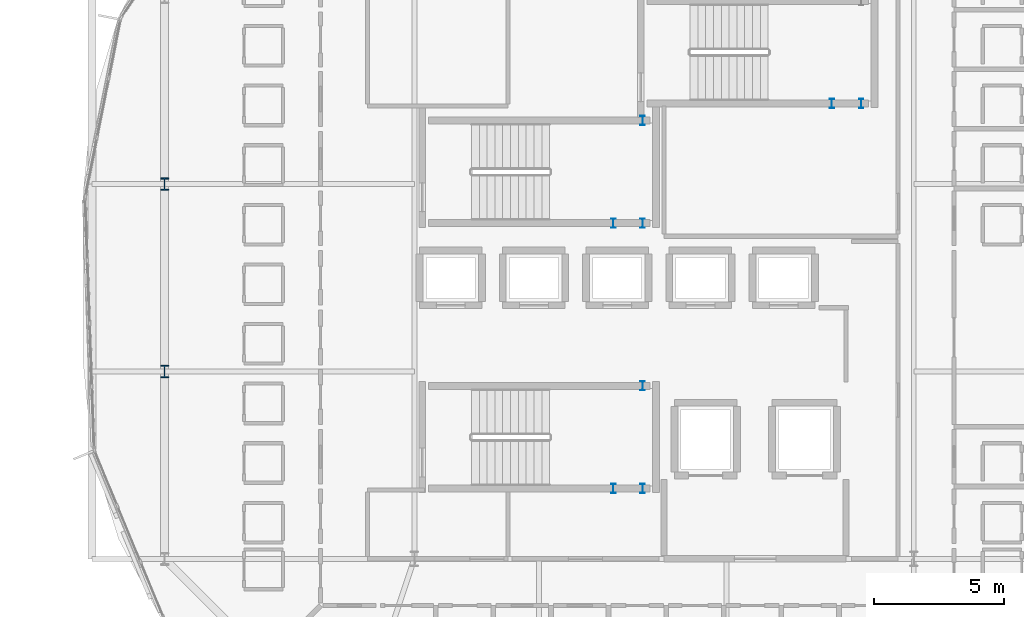
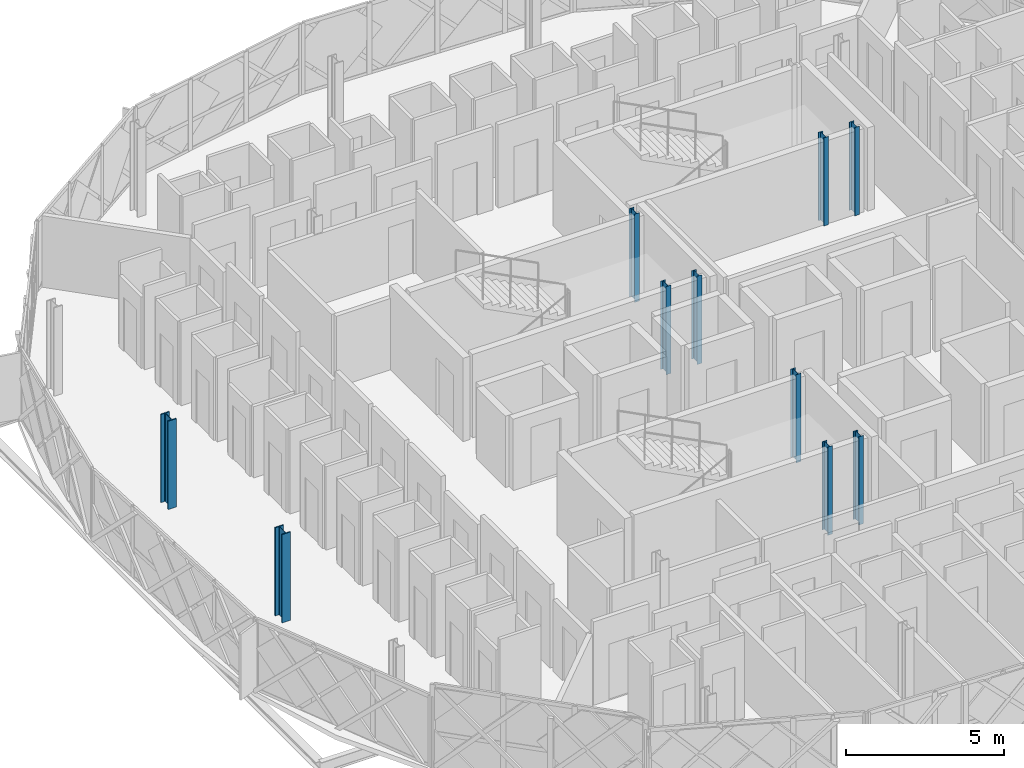
# One storey, part 2 of 40: 10 columns.
"""IFC4 building model written with IfcOpenShell, lengths in metres."""

import ifcopenshell
import ifcopenshell.guid

model = None  # the IFC model being written
_history = None  # IfcOwnerHistory: only IFC2X3 demands one
_inside = {}  # id of a spatial element -> (the spatial element, [elements in it])
_under = {}  # id of a project, library or spatial element -> (it, [spatial elements below it])
_declared = {}  # id of a project -> (the project, [libraries it declares])
_typed = {}  # id of a type object -> (the type object, [elements of that type])
_made_of = {}  # id of a material, layer set ... -> (it, [elements and type objects made of it])


def new_model(schema):
    """Start an empty IFC model of exactly this schema.

    Asked for "IFC4X3", IfcOpenShell would pick the latest addendum, in which some entities
    have other attributes; the version numbers below select the first issue.
    IFC2X3 requires an IfcOwnerHistory on every rooted entity: one is made here for all.
    """
    global model, _history
    if schema == "IFC4X3":
        model = ifcopenshell.file(schema_version=(4, 3, 0, 0))
    else:
        model = ifcopenshell.file(schema=schema)
    _inside.clear()
    _under.clear()
    _declared.clear()
    _typed.clear()
    _made_of.clear()
    _history = None
    if model.schema == "IFC2X3":
        org = make("IfcOrganization", Name="unknown")
        user = make(
            "IfcPersonAndOrganization",
            ThePerson=make("IfcPerson", FamilyName="unknown"),
            TheOrganization=org,
        )
        app = make(
            "IfcApplication",
            ApplicationDeveloper=org,
            Version="unknown",
            ApplicationFullName="unknown",
            ApplicationIdentifier="unknown",
        )
        _history = make(
            "IfcOwnerHistory",
            OwningUser=user,
            OwningApplication=app,
            ChangeAction="ADDED",
            CreationDate=0,
        )
    return model


def make(cls, **values):
    """One entity of the class cls with the attributes given. An attribute that is None is left unset."""
    return model.create_entity(
        cls, **{name: value for name, value in values.items() if value is not None}
    )


def rooted(cls, **values):
    """An entity with a GlobalId (a new one), such as an element, a storey or a relation."""
    return make(cls, GlobalId=ifcopenshell.guid.new(), OwnerHistory=_history, **values)


def si_unit(unit_type, name, prefix=None):
    """IfcSIUnit, for example si_unit("LENGTHUNIT", "METRE", prefix="MILLI")."""
    return make("IfcSIUnit", UnitType=unit_type, Prefix=prefix, Name=name)


def assignment(units):
    """IfcUnitAssignment: the units of a project."""
    return None if units is None else make("IfcUnitAssignment", Units=units)


def point(xyz):
    """IfcCartesianPoint."""
    return None if xyz is None else make("IfcCartesianPoint", Coordinates=xyz)


def direction(xyz):
    """IfcDirection."""
    return None if xyz is None else make("IfcDirection", DirectionRatios=xyz)


def frame(location, z_axis=None, x_axis=None):
    """IfcAxis2Placement3D, a coordinate frame: its origin and axes. An axis left out is left unset."""
    return make(
        "IfcAxis2Placement3D",
        Location=point(location),
        Axis=direction(z_axis),
        RefDirection=direction(x_axis),
    )


def frame_2d(location, x_axis=None):
    """IfcAxis2Placement2D, a coordinate frame in the plane: its origin and x axis."""
    return make(
        "IfcAxis2Placement2D", Location=point(location), RefDirection=direction(x_axis)
    )


def origin():
    """The frame at (0, 0, 0) with its axes left unset."""
    return frame((0.0, 0.0, 0.0))


def origin_2d():
    """The frame at (0, 0) in the plane with its x axis left unset."""
    return frame_2d((0.0, 0.0))


def place(relative_to, where):
    """IfcLocalPlacement: puts the frame where relative to a parent placement (None: the world)."""
    return make(
        "IfcLocalPlacement", PlacementRelTo=relative_to, RelativePlacement=where
    )


def context(
    kind, dimensions, precision=None, world=None, true_north=None, identifier=None
):
    """IfcGeometricRepresentationContext, for example the 3D "Model" context."""
    return make(
        "IfcGeometricRepresentationContext",
        ContextIdentifier=identifier,
        ContextType=kind,
        CoordinateSpaceDimension=dimensions,
        Precision=precision,
        WorldCoordinateSystem=world,
        TrueNorth=true_north,
    )


def subcontext(parent, identifier, kind, view, scale=None):
    """IfcGeometricRepresentationSubContext, for example "Body" below "Model"."""
    return make(
        "IfcGeometricRepresentationSubContext",
        ContextIdentifier=identifier,
        ContextType=kind,
        ParentContext=parent,
        TargetScale=scale,
        TargetView=view,
    )


def project(units=None, contexts=None):
    """IfcProject with its units and contexts."""
    return rooted(
        "IfcProject",
        Name="project",
        RepresentationContexts=contexts,
        UnitsInContext=assignment(units),
    )


def spatial(cls, under=None, at=None, **own):
    """A site, building, storey or space (cls), placed at a placement, below another one or the project."""
    s = rooted(cls, ObjectPlacement=at, **own)
    if under is not None:
        _under.setdefault(under.id(), (under, []))[1].append(s)
    return s


def profile(cls, at=None, kind="AREA", **sizes):
    """A parametric profile (cls). Its sizes go by their IFC names, for example OverallWidth=200.0."""
    return make(cls, ProfileType=kind, Position=at, **sizes)


def i_section(**sizes):
    """IfcIShapeProfileDef."""
    return profile("IfcIShapeProfileDef", **sizes)


def extrude(swept, where, along, depth):
    """IfcExtrudedAreaSolid: the profile swept, set in the frame where, extruded along a direction by depth."""
    return make(
        "IfcExtrudedAreaSolid",
        SweptArea=swept,
        Position=where,
        ExtrudedDirection=direction(along),
        Depth=depth,
    )


def shape(context_of_items, identifier, shape_type, items):
    """IfcShapeRepresentation: the items that make up one representation, for example the "Body"."""
    return make(
        "IfcShapeRepresentation",
        ContextOfItems=context_of_items,
        RepresentationIdentifier=identifier,
        RepresentationType=shape_type,
        Items=items,
    )


def material(Name=None, Category=None):
    """IfcMaterial."""
    return make("IfcMaterial", Name=Name, Category=Category)


def material_profile(
    of_material, cross_section, Name=None, Category=None, Priority=None
):
    """IfcMaterialProfile: a cross section and its material."""
    return make(
        "IfcMaterialProfile",
        Name=Name,
        Material=of_material,
        Profile=cross_section,
        Priority=Priority,
        Category=Category,
    )


def profile_set(profiles, Name=None, composite=None):
    """IfcMaterialProfileSet."""
    return make(
        "IfcMaterialProfileSet",
        Name=Name,
        MaterialProfiles=profiles,
        CompositeProfile=composite,
    )


def made_of(thing, what):
    """Note that an element or type object is made of a material, layer set ...; save() writes the relation."""
    if what is not None:
        _made_of.setdefault(what.id(), (what, []))[1].append(thing)
    return thing


def type_object(cls, material=None, **own):
    """A type object (cls), such as IfcWallType, which elements share."""
    return made_of(rooted(cls, **own), material)


def element(
    cls,
    number,
    at=None,
    inside=None,
    cuts=None,
    type_object=None,
    material=None,
    context=None,
    identifier="Body",
    shape_type=None,
    held_by="IfcProductDefinitionShape",
    body=None,
    shapes=None,
    **own,
):
    """One element of the class cls, such as IfcWall. Its Tag is "e" and its number.

    at: its placement. inside: the storey or other place that contains it. cuts: it is an
    opening in that element (IfcRelVoidsElement). A single representation is given by context,
    identifier, shape_type and body (its items); several are given by shapes. held_by: the class
    of the entity that holds the representations. save() writes the other relations.
    """
    e = rooted(cls, Tag="e%d" % number, ObjectPlacement=at, **own)
    if body is not None:
        shapes = [shape(context, identifier, shape_type, body)]
    if shapes is not None:
        e.Representation = make(held_by, Representations=shapes)
    if inside is not None:
        _inside.setdefault(inside.id(), (inside, []))[1].append(e)
    if cuts is not None:
        rooted(
            "IfcRelVoidsElement", RelatingBuildingElement=cuts, RelatedOpeningElement=e
        )
    if type_object is not None:
        _typed.setdefault(type_object.id(), (type_object, []))[1].append(e)
    return made_of(e, material)


def aggregate(whole, parts):
    """IfcRelAggregates: a whole, such as a stair, and the parts it consists of."""
    return rooted("IfcRelAggregates", RelatingObject=whole, RelatedObjects=parts)


def save(model, path):
    """Write the relations noted so far, then the file.

    IfcRelAggregates (storeys below a building ...), IfcRelContainedInSpatialStructure (elements
    in a storey), IfcRelDefinesByType, IfcRelAssociatesMaterial and IfcRelDeclares: one each for
    every whole, place, type object, material and project.
    """
    for whole, parts in _under.values():
        aggregate(whole, parts)
    for where, things in _inside.values():
        rooted(
            "IfcRelContainedInSpatialStructure",
            RelatedElements=things,
            RelatingStructure=where,
        )
    for kind, things in _typed.values():
        rooted("IfcRelDefinesByType", RelatedObjects=things, RelatingType=kind)
    for what, things in _made_of.values():
        rooted("IfcRelAssociatesMaterial", RelatedObjects=things, RelatingMaterial=what)
    for by, libraries in _declared.values():
        rooted("IfcRelDeclares", RelatingContext=by, RelatedDefinitions=libraries)
    model.write(path)


model = new_model("IFC4")

# Units and contexts
model_context = context("Model", 3, precision=1e-05, world=origin(), true_north=direction((0.0, 1.0)))
body_context = subcontext(model_context, "Body", "Model", "MODEL_VIEW")
ifc_project = project(units=[si_unit("LENGTHUNIT", "METRE"), si_unit("AREAUNIT", "SQUARE_METRE"), si_unit("VOLUMEUNIT", "CUBIC_METRE"), si_unit("PLANEANGLEUNIT", "RADIAN"), si_unit("MASSUNIT", "GRAM", prefix="KILO")], contexts=[model_context])

# Site, building, storey
site_placement = place(None, origin())
site = spatial("IfcSite", under=ifc_project, at=site_placement, CompositionType="ELEMENT")
building_placement = place(site_placement, origin())
building = spatial("IfcBuilding", under=site, at=building_placement, Name="Zevrakil Square Congress Hotel", CompositionType="ELEMENT")
storey_placement = place(building_placement, frame((0.0, 0.0, 18.10009765625)))
storey = spatial("IfcBuildingStorey", under=building, at=storey_placement, Name="L05", CompositionType="ELEMENT", Elevation=18.10009765625)

# Columns
ifc_material_1 = material(Name="Steel S355", Category="steel")
ifc_material_profile_1 = material_profile(ifc_material_1, i_section(OverallWidth=0.306884765625, OverallDepth=0.47802734375, WebThickness=0.02099609375, FlangeThickness=0.0400390625, FilletRadius=0.027099609375, at=origin_2d()), Name="HEM 450")
ifc_profile_set_1 = profile_set([ifc_material_profile_1], Name="Steel S355")
column_type_1 = type_object("IfcColumnType", Name="COL-HEM450", PredefinedType="COLUMN", material=ifc_profile_set_1)
for number, where, z_axis, x_axis, name in (
    (1, (127.199951171875, 31.199951171875, 0.0), (0.0, 0.0, 1.0), (1.0, 0.0, 0.0), "L05 drum column DC14"),
    (2, (127.199951171875, 24.0, 0.0), (0.0, 0.0, 1.0), (1.0, 0.0, 0.0), "L05 drum column DC15"),
):
    element("IfcColumn", number, at=place(storey_placement, frame(where, z_axis=z_axis, x_axis=x_axis)), inside=storey, type_object=column_type_1, Name=name, PredefinedType="COLUMN", context=body_context, shape_type="SweptSolid", body=[
        extrude(i_section(OverallWidth=0.306884765625, OverallDepth=0.47802734375, WebThickness=0.02099609375, FlangeThickness=0.0400390625, FilletRadius=0.027099609375, at=origin_2d()), origin(), (0.0, 0.0, 1.0), 3.39990234375),
    ])
ifc_material_2 = material(Name="Steel S355", Category="steel")
ifc_material_profile_2 = material_profile(ifc_material_2, i_section(OverallWidth=0.169921875, OverallDepth=0.360107421875, WebThickness=0.008056640625, FlangeThickness=0.0126953125, FilletRadius=0.01806640625, at=origin_2d()), Name="IPE 360")
ifc_profile_set_2 = profile_set([ifc_material_profile_2], Name="Steel S355")
column_type_2 = type_object("IfcColumnType", Name="COL-PILASTER-SHS180", PredefinedType="PILASTER", material=ifc_profile_set_2)
for number, where, z_axis, x_axis, name in (
    (3, (144.449951171875, 19.5, 0.0), (0.0, 0.0, 1.0), (1.0, 0.0, 0.0), "L05 ST01 stair shaft post 1"),
    (4, (145.580078125, 19.5, 0.0), (0.0, 0.0, 1.0), (1.0, 0.0, 0.0), "L05 ST01 stair shaft post 2"),
    (5, (145.580078125, 23.449951171875, 0.0), (0.0, 0.0, 1.0), (1.0, 0.0, 0.0), "L05 ST01 stair shaft post 3"),
    (6, (144.449951171875, 29.699951171875, 0.0), (0.0, 0.0, 1.0), (1.0, 0.0, 0.0), "L05 ST02 stair shaft post 1"),
    (7, (145.580078125, 29.699951171875, 0.0), (0.0, 0.0, 1.0), (1.0, 0.0, 0.0), "L05 ST02 stair shaft post 2"),
    (8, (145.580078125, 33.64990234375, 0.0), (0.0, 0.0, 1.0), (1.0, 0.0, 0.0), "L05 ST02 stair shaft post 3"),
    (9, (152.85009765625, 34.300048828125, 0.0), (0.0, 0.0, 1.0), (1.0, 0.0, 0.0), "L05 ST03 stair shaft post 1"),
    (10, (153.97998046875, 34.300048828125, 0.0), (0.0, 0.0, 1.0), (1.0, 0.0, 0.0), "L05 ST03 stair shaft post 2"),
):
    element("IfcColumn", number, at=place(storey_placement, frame(where, z_axis=z_axis, x_axis=x_axis)), inside=storey, type_object=column_type_2, Name=name, PredefinedType="PILASTER", context=body_context, shape_type="SweptSolid", body=[
        extrude(i_section(OverallWidth=0.169921875, OverallDepth=0.360107421875, WebThickness=0.008056640625, FlangeThickness=0.0126953125, FilletRadius=0.01806640625, at=origin_2d()), origin(), (0.0, 0.0, 1.0), 3.39990234375),
    ])

save(model, "model.ifc")
